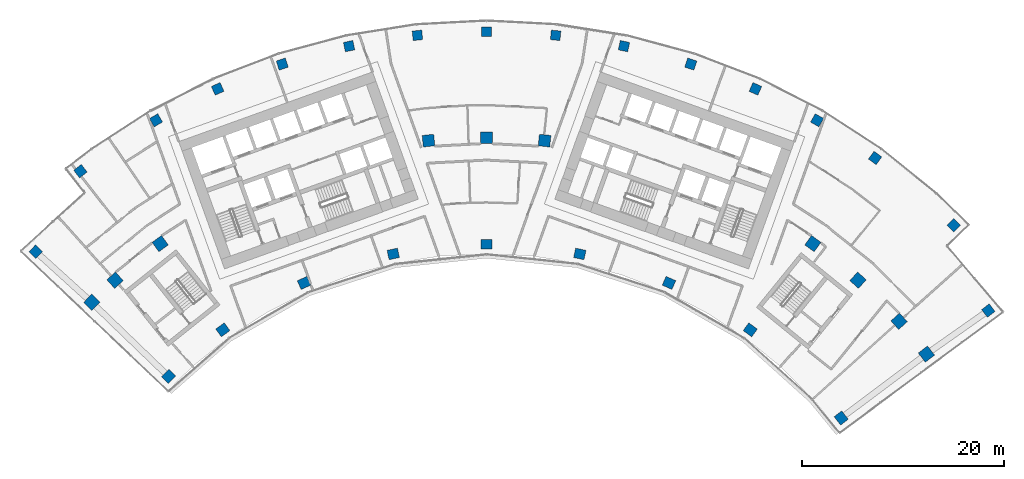
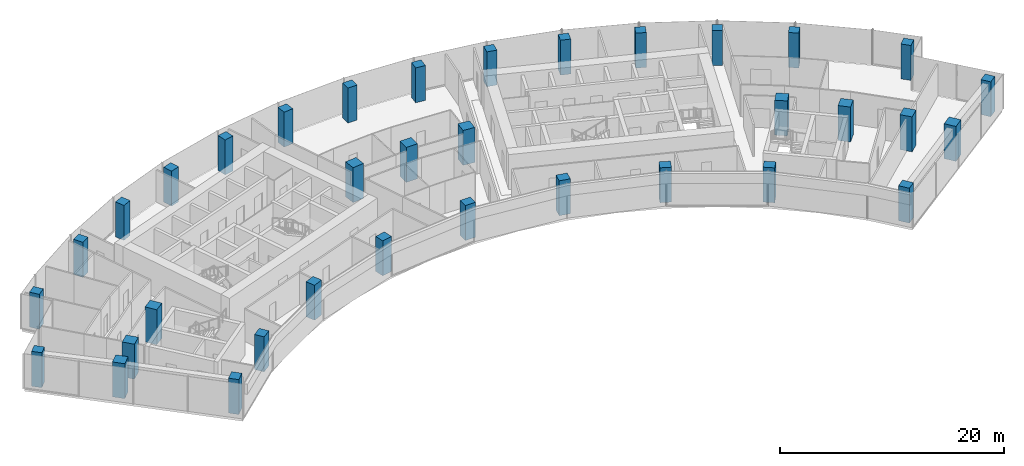
# One storey, part 1 of 19: 35 columns.
"""IFC4 building model written with IfcOpenShell, lengths in metres."""

from ifc_helpers import new_model, si_unit, direction, frame, origin, origin_2d, place, context, subcontext, project, spatial, rectangle, extrude, material, material_profile, profile_set, type_object, element, save


model = new_model("IFC4")

# Units and contexts
model_context = context("Model", 3, precision=1e-05, world=origin(), true_north=direction((0.0, 1.0)))
body_context = subcontext(model_context, "Body", "Model", "MODEL_VIEW")
ifc_project = project(units=[si_unit("LENGTHUNIT", "METRE"), si_unit("AREAUNIT", "SQUARE_METRE"), si_unit("VOLUMEUNIT", "CUBIC_METRE"), si_unit("PLANEANGLEUNIT", "RADIAN"), si_unit("MASSUNIT", "GRAM", prefix="KILO")], contexts=[model_context])

# Site, building, storey
site_placement = place(None, origin())
site = spatial("IfcSite", under=ifc_project, at=site_placement, CompositionType="ELEMENT")
building_placement = place(site_placement, origin())
building = spatial("IfcBuilding", under=site, at=building_placement, Name="Stone Belt Terrace Tower", CompositionType="ELEMENT")
storey_placement = place(building_placement, frame((0.0, 0.0, 208.60009765625)))
storey = spatial("IfcBuildingStorey", under=building, at=storey_placement, Name="L50", CompositionType="ELEMENT", Elevation=208.60009765625)

# Columns
ifc_material = material(Name="Concrete B60", Category="concrete")
ifc_material_profile_1 = material_profile(ifc_material, rectangle(XDim=1.050048828125, YDim=0.949951171875, at=origin_2d()), Name="RC 1050x950")
ifc_profile_set_1 = profile_set([ifc_material_profile_1], Name="Concrete B60")
column_type_1 = type_object("IfcColumnType", Name="Column RC 1050x950 B60", PredefinedType="COLUMN", material=ifc_profile_set_1)
for number, where, z_axis, x_axis, name in (
    (1, (-31.5078125, 31.3466796875, 0.0), (0.0, 0.0, 1.0), (0.705293990601, 0.708914936239, 0.0), "Column L50 PA"),
    (2, (-26.1240234375, 35.956787109375, 0.0), (0.0, 0.0, 1.0), (0.809016994375, 0.587785252292, 0.0), "Column L50 P16"),
    (3, (-18.077392578125, 40.6025390625, 0.0), (0.0, 0.0, 1.0), (0.913545457643, 0.406736643076, 0.0), "Column L50 P18"),
    (4, (-9.240478515625, 43.473876953125, 0.0), (0.0, 0.0, 1.0), (0.978147600734, 0.207911690818, 0.0), "Column L50 P20"),
    (5, (0.0, 44.445068359375, 0.0), (0.0, 0.0, 1.0), (1.0, 0.0, 0.0), "Column L50 P22"),
    (6, (9.240478515625, 43.473876953125, 0.0), (0.0, 0.0, 1.0), (0.978147600734, -0.207911690818, 0.0), "Column L50 P24"),
    (7, (18.077392578125, 40.6025390625, 0.0), (0.0, 0.0, 1.0), (0.913545457643, -0.406736643076, 0.0), "Column L50 P26"),
    (8, (26.1240234375, 35.956787109375, 0.0), (0.0, 0.0, 1.0), (0.809016994375, -0.587785252292, 0.0), "Column L50 P28"),
    (9, (35.133056640625, 27.221923828125, 0.0), (0.0, 0.0, 1.0), (0.612484967582, -0.790482235402, 0.0), "Column L50 PB"),
):
    element("IfcColumn", number, at=place(storey_placement, frame(where, z_axis=z_axis, x_axis=x_axis)), inside=storey, type_object=column_type_1, Name=name, PredefinedType="COLUMN", context=body_context, shape_type="SweptSolid", body=[
        extrude(rectangle(XDim=1.050048828125, YDim=0.949951171875, at=origin_2d()), origin(), (0.0, 0.0, 1.0), 3.7998046875),
    ])
ifc_material_profile_2 = material_profile(ifc_material, rectangle(XDim=1.14990234375, YDim=1.14990234375, at=origin_2d()), Name="RC 1150x1150")
ifc_profile_set_2 = profile_set([ifc_material_profile_2], Name="Concrete B60")
column_type_2 = type_object("IfcColumnType", Name="Column RC 1150x1150 B60", PredefinedType="COLUMN", material=ifc_profile_set_2)
for number, where, z_axis, x_axis, name in (
    (10, (-39.108154296875, 38.67236328125, 0.0), (0.0, 0.0, 1.0), (0.703134133957, 0.711057233748, 0.0), "Column L50 QA"),
    (11, (-36.80224609375, 40.873046875, 0.0), (0.0, 0.0, 1.0), (0.743144825477, 0.669130606359, 0.0), "Column L50 Q15"),
    (12, (-32.328125, 44.495849609375, 0.0), (0.0, 0.0, 1.0), (0.809016994375, 0.587785252292, 0.0), "Column L50 Q16"),
    (13, (-5.7490234375, 54.69873046875, 0.0), (0.0, 0.0, 1.0), (0.994521895368, 0.104528463268, 0.0), "Column L50 Q21"),
    (14, (0.0, 55.0, 0.0), (0.0, 0.0, 1.0), (1.0, 0.0, 0.0), "Column L50 Q22"),
    (15, (5.7490234375, 54.69873046875, 0.0), (0.0, 0.0, 1.0), (0.994521895368, -0.104528463268, 0.0), "Column L50 Q23"),
    (16, (32.328125, 44.495849609375, 0.0), (0.0, 0.0, 1.0), (0.809016994375, -0.587785252292, 0.0), "Column L50 Q28"),
    (17, (36.80224609375, 40.873046875, 0.0), (0.0, 0.0, 1.0), (0.743144825477, -0.669130606359, 0.0), "Column L50 Q29"),
    (18, (40.873046875, 36.80224609375, 0.0), (0.0, 0.0, 1.0), (0.669130606359, -0.743144825477, 0.0), "Column L50 Q30"),
    (19, (43.57861328125, 33.55419921875, 0.0), (0.0, 0.0, 1.0), (0.610078787058, -0.792340755977, 0.0), "Column L50 QB"),
):
    element("IfcColumn", number, at=place(storey_placement, frame(where, z_axis=z_axis, x_axis=x_axis)), inside=storey, type_object=column_type_2, Name=name, PredefinedType="COLUMN", context=body_context, shape_type="SweptSolid", body=[
        extrude(rectangle(XDim=1.14990234375, YDim=1.14990234375, at=origin_2d()), origin(), (0.0, 0.0, 1.0), 3.7998046875),
    ])
ifc_material_profile_3 = material_profile(ifc_material, rectangle(XDim=0.949951171875, YDim=0.949951171875, at=origin_2d()), Name="RC 950x950")
ifc_profile_set_3 = profile_set([ifc_material_profile_3], Name="Concrete B60")
column_type_3 = type_object("IfcColumnType", Name="Column RC 950x950 B60", PredefinedType="COLUMN", material=ifc_profile_set_3)
for number, where, z_axis, x_axis, name in (
    (20, (-44.660400390625, 43.70703125, 0.0), (0.0, 0.0, 1.0), (0.699437600403, 0.714693670842, 0.0), "Column L50 RA"),
    (21, (49.70947265625, 37.86572265625, 0.0), (0.0, 0.0, 1.0), (0.605960632634, -0.795494633356, 0.0), "Column L50 RB"),
    (22, (-40.231201171875, 51.674560546875, 0.0), (0.0, 0.0, 1.0), (0.789057280835, 0.614319629803, 0.0), "Column L50 RNA"),
    (23, (-32.744384765625, 56.715087890625, 0.0), (0.0, 0.0, 1.0), (0.866025403784, 0.5, 0.0), "Column L50 R17"),
    (24, (-26.63671875, 59.8271484375, 0.0), (0.0, 0.0, 1.0), (0.913545457643, 0.406736643076, 0.0), "Column L50 R18"),
    (25, (-20.2373046875, 62.28369140625, 0.0), (0.0, 0.0, 1.0), (0.951056516295, 0.309016994375, 0.0), "Column L50 R19"),
    (26, (-13.615966796875, 64.057861328125, 0.0), (0.0, 0.0, 1.0), (0.978147600734, 0.207911690818, 0.0), "Column L50 R20"),
    (27, (-6.845458984375, 65.130126953125, 0.0), (0.0, 0.0, 1.0), (0.994521895368, 0.104528463268, 0.0), "Column L50 R21"),
    (28, (0.0, 65.489013671875, 0.0), (0.0, 0.0, 1.0), (1.0, 0.0, 0.0), "Column L50 R22"),
    (29, (6.845458984375, 65.130126953125, 0.0), (0.0, 0.0, 1.0), (0.994521895368, -0.104528463268, 0.0), "Column L50 R23"),
    (30, (13.615966796875, 64.057861328125, 0.0), (0.0, 0.0, 1.0), (0.978147600734, -0.207911690818, 0.0), "Column L50 R24"),
    (31, (20.2373046875, 62.28369140625, 0.0), (0.0, 0.0, 1.0), (0.951056516295, -0.309016994375, 0.0), "Column L50 R25"),
    (32, (26.63671875, 59.8271484375, 0.0), (0.0, 0.0, 1.0), (0.913545457643, -0.406736643076, 0.0), "Column L50 R26"),
    (33, (32.744384765625, 56.715087890625, 0.0), (0.0, 0.0, 1.0), (0.866025403784, -0.5, 0.0), "Column L50 R27"),
    (34, (38.493408203125, 52.981689453125, 0.0), (0.0, 0.0, 1.0), (0.809016994375, -0.587785252292, 0.0), "Column L50 R28"),
    (35, (46.29638671875, 46.318603515625, 0.0), (0.0, 0.0, 1.0), (0.707275837349, -0.706937684596, 0.0), "Column L50 RNB"),
):
    element("IfcColumn", number, at=place(storey_placement, frame(where, z_axis=z_axis, x_axis=x_axis)), inside=storey, type_object=column_type_3, Name=name, PredefinedType="COLUMN", context=body_context, shape_type="SweptSolid", body=[
        extrude(rectangle(XDim=0.949951171875, YDim=0.949951171875, at=origin_2d()), origin(), (0.0, 0.0, 1.0), 3.7998046875),
    ])

save(model, "model.ifc")
